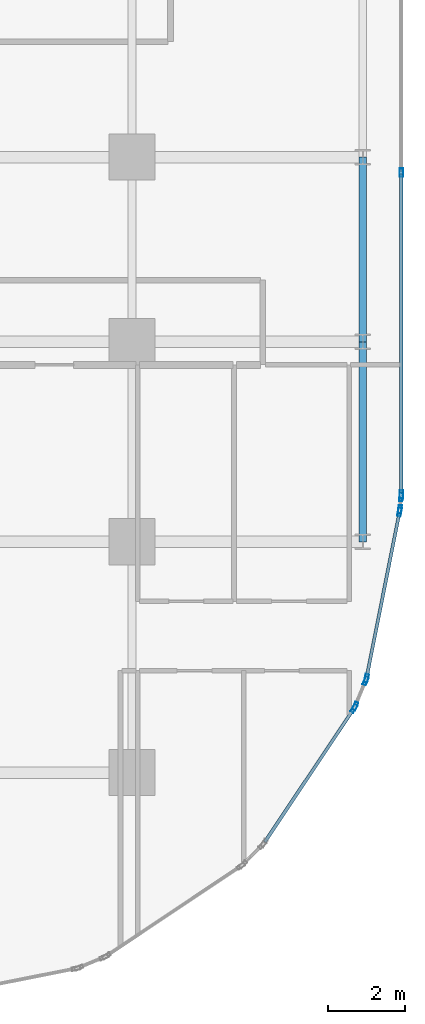
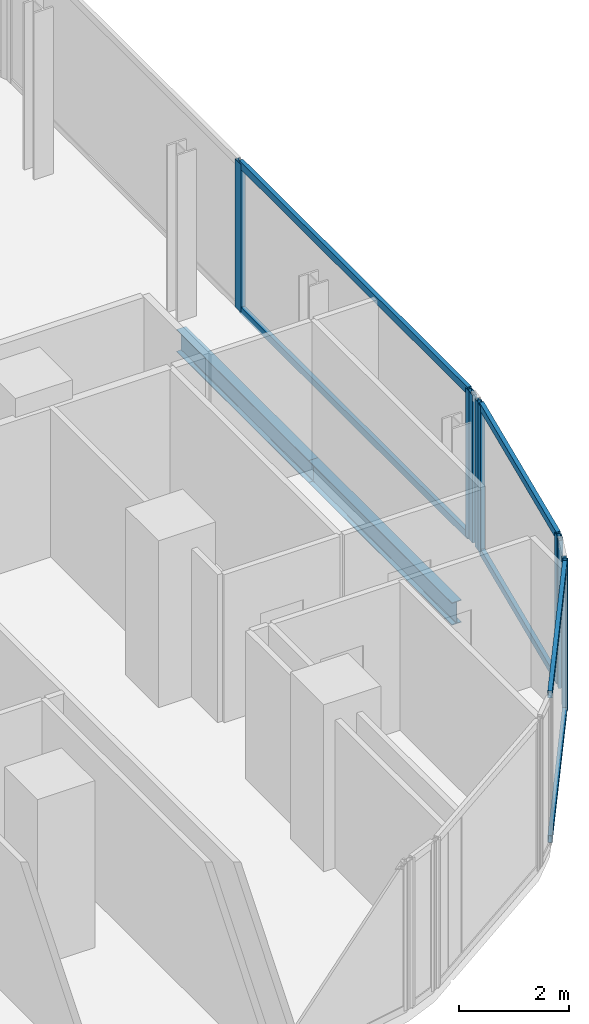
# One storey, part 18 of 33: 15 members, 2 beams, 5 elements without a shape of their own.
"""IFC4 building model written with IfcOpenShell, lengths in metres."""

from ifc_helpers import new_model, si_unit, direction, frame, origin, origin_2d, place, context, subcontext, project, spatial, hollow_rectangle, i_section, extrude, material, layer, layer_set, material_profile, profile_set, type_object, element, aggregate, save


model = new_model("IFC4")

# Units and contexts
model_context = context("Model", 3, precision=1e-05, world=origin(), true_north=direction((0.0, 1.0)))
body_context = subcontext(model_context, "Body", "Model", "MODEL_VIEW")
ifc_project = project(units=[si_unit("LENGTHUNIT", "METRE"), si_unit("AREAUNIT", "SQUARE_METRE"), si_unit("VOLUMEUNIT", "CUBIC_METRE"), si_unit("PLANEANGLEUNIT", "RADIAN"), si_unit("MASSUNIT", "GRAM", prefix="KILO")], contexts=[model_context])

# Site, building, storey
site_placement = place(None, origin())
site = spatial("IfcSite", under=ifc_project, at=site_placement, CompositionType="ELEMENT")
building_placement = place(site_placement, origin())
building = spatial("IfcBuilding", under=site, at=building_placement, Name="Keshet Zoharim Tower", CompositionType="ELEMENT")
storey_placement = place(building_placement, frame((0.0, 0.0, 57.300048828125)))
storey = spatial("IfcBuildingStorey", under=building, at=storey_placement, Name="L13", CompositionType="ELEMENT", Elevation=57.300048828125)

# Beams
ifc_material_1 = material(Name="Steel S355", Category="steel")
ifc_material_profile_1 = material_profile(ifc_material_1, i_section(OverallWidth=0.199951171875, OverallDepth=0.5, WebThickness=0.01025390625, FlangeThickness=0.01611328125, FilletRadius=0.02099609375, at=origin_2d()), Name="IPE500")
ifc_profile_set_1 = profile_set([ifc_material_profile_1], Name="Steel S355")
beam_type = type_object("IfcBeamType", Name="BM-PRI-IP500", PredefinedType="BEAM", material=ifc_profile_set_1)
beam_1_placement = place(storey_placement, frame((69.0, 12.699951171875, -0.56494140625), z_axis=(0.0, 1.0, 0.0), x_axis=(-1.0, 0.0, 0.0)))
element("IfcBeam", 1, at=beam_1_placement, inside=storey, type_object=beam_type, Name="L13 Primary Girder Y-023", PredefinedType="BEAM", context=body_context, shape_type="SweptSolid", body=[
    extrude(i_section(OverallWidth=0.199951171875, OverallDepth=0.5, WebThickness=0.01025390625, FlangeThickness=0.01611328125, FilletRadius=0.02099609375, at=origin_2d()), origin(), (0.0, 0.0, 1.0), 5.199951171875),
])
beam_2_placement = place(storey_placement, frame((69.0, 17.89990234375, -0.56494140625), z_axis=(0.0, 1.0, 0.0), x_axis=(-1.0, 0.0, 0.0)))
element("IfcBeam", 2, at=beam_2_placement, inside=storey, type_object=beam_type, Name="L13 Primary Girder Y-024", PredefinedType="BEAM", context=body_context, shape_type="SweptSolid", body=[
    extrude(i_section(OverallWidth=0.199951171875, OverallDepth=0.5, WebThickness=0.01025390625, FlangeThickness=0.01611328125, FilletRadius=0.02099609375, at=origin_2d()), origin(), (0.0, 0.0, 1.0), 4.800048828125),
])

# Curtain wall, members
ifc_material_2 = material(Name="Aluminium 6063-T6", Category="aluminium")
ifc_layer_1 = layer(ifc_material_2, 0.169921875)
ifc_layer_set_1 = layer_set([ifc_layer_1], Name="Aluminium 6063-T6")
curtain_wall_type_1 = type_object("IfcCurtainWallType", Name="CW-SYS-02", PredefinedType="NOTDEFINED", material=ifc_layer_set_1)
curtain_wall_1_placement = place(storey_placement, origin())
curtain_wall_1 = element("IfcCurtainWall", 3, at=curtain_wall_1_placement, inside=storey, type_object=curtain_wall_type_1, Name="L13 Unitised Curtain Wall 16", PredefinedType="NOTDEFINED")
ifc_material_profile_2 = material_profile(ifc_material_2, hollow_rectangle(XDim=0.090087890625, YDim=0.219970703125, WallThickness=0.0048828125, at=origin_2d()), Name="MUL-90x220")
ifc_profile_set_2 = profile_set([ifc_material_profile_2], Name="Aluminium 6063-T6")
member_type_1 = type_object("IfcMemberType", Name="CWM-M22", PredefinedType="MULLION", material=ifc_profile_set_2)
member_1_placement = place(storey_placement, frame((70.0, 22.298583984375, 0.0), z_axis=(0.0, 0.0, 1.0), x_axis=(1.0, 0.0, 0.0)))
member_1 = element("IfcMember", 4, at=member_1_placement, type_object=member_type_1, Name="CW-02 mullion 2", PredefinedType="MULLION", context=body_context, shape_type="SweptSolid", body=[
    extrude(hollow_rectangle(XDim=0.090087890625, YDim=0.219970703125, WallThickness=0.0048828125, at=origin_2d()), origin(), (0.0, 0.0, 1.0), 3.280029296875),
])
member_2_placement = place(storey_placement, frame((70.0, 13.931884765625, 0.0), z_axis=(0.0, 0.0, 1.0), x_axis=(1.0, 0.0, 0.0)))
member_2 = element("IfcMember", 5, at=member_2_placement, type_object=member_type_1, Name="CW-02 mullion 3", PredefinedType="MULLION", context=body_context, shape_type="SweptSolid", body=[
    extrude(hollow_rectangle(XDim=0.090087890625, YDim=0.219970703125, WallThickness=0.0048828125, at=origin_2d()), origin(), (0.0, 0.0, 1.0), 3.280029296875),
])

curtain_wall_2_placement = place(storey_placement, origin())
curtain_wall_2 = element("IfcCurtainWall", 6, at=curtain_wall_2_placement, inside=storey, type_object=curtain_wall_type_1, Name="L13 Unitised Curtain Wall 17", PredefinedType="NOTDEFINED")
member_3_placement = place(storey_placement, frame((69.99658203125, 13.862060546875, 0.0), z_axis=(0.0, 0.0, 1.0), x_axis=(0.995286657009, -0.096976648633, 0.0)))
member_3 = element("IfcMember", 7, at=member_3_placement, type_object=member_type_1, Name="CW-02 mullion 1", PredefinedType="MULLION", context=body_context, shape_type="SweptSolid", body=[
    extrude(hollow_rectangle(XDim=0.090087890625, YDim=0.219970703125, WallThickness=0.0048828125, at=origin_2d()), origin(), (0.0, 0.0, 1.0), 3.280029296875),
])
member_4_placement = place(storey_placement, frame((69.96533203125, 13.541748046875, 0.0), z_axis=(0.0, 0.0, 1.0), x_axis=(0.995286657009, -0.096976648633, 0.0)))
member_4 = element("IfcMember", 8, at=member_4_placement, type_object=member_type_1, Name="CW-02 mullion 2", PredefinedType="MULLION", context=body_context, shape_type="SweptSolid", body=[
    extrude(hollow_rectangle(XDim=0.090087890625, YDim=0.219970703125, WallThickness=0.0048828125, at=origin_2d()), origin(), (0.0, 0.0, 1.0), 3.280029296875),
])
aggregate(curtain_wall_2, [member_3, member_4])

curtain_wall_3_placement = place(storey_placement, origin())
curtain_wall_3 = element("IfcCurtainWall", 9, at=curtain_wall_3_placement, inside=storey, type_object=curtain_wall_type_1, Name="L13 Unitised Curtain Wall 18", PredefinedType="NOTDEFINED")
member_5_placement = place(storey_placement, frame((69.955078125, 13.47265625, 0.0), z_axis=(0.0, 0.0, 1.0), x_axis=(0.98076917357, -0.195171279072, 0.0)))
member_5 = element("IfcMember", 10, at=member_5_placement, type_object=member_type_1, Name="CW-02 mullion 1", PredefinedType="MULLION", context=body_context, shape_type="SweptSolid", body=[
    extrude(hollow_rectangle(XDim=0.090087890625, YDim=0.219970703125, WallThickness=0.0048828125, at=origin_2d()), origin(), (0.0, 0.0, 1.0), 3.280029296875),
])
member_6_placement = place(storey_placement, frame((69.0947265625, 9.1494140625, 0.0), z_axis=(0.0, 0.0, 1.0), x_axis=(0.98076917357, -0.195171279072, 0.0)))
member_6 = element("IfcMember", 11, at=member_6_placement, type_object=member_type_1, Name="CW-02 mullion 2", PredefinedType="MULLION", context=body_context, shape_type="SweptSolid", body=[
    extrude(hollow_rectangle(XDim=0.090087890625, YDim=0.219970703125, WallThickness=0.0048828125, at=origin_2d()), origin(), (0.0, 0.0, 1.0), 3.280029296875),
])

ifc_layer_2 = layer(ifc_material_2, 0.179931640625)
ifc_layer_set_2 = layer_set([ifc_layer_2], Name="Aluminium 6063-T6")
curtain_wall_type_2 = type_object("IfcCurtainWallType", Name="CW-SYS-01", PredefinedType="NOTDEFINED", material=ifc_layer_set_2)
curtain_wall_4_placement = place(storey_placement, origin())
curtain_wall_4 = element("IfcCurtainWall", 12, at=curtain_wall_4_placement, inside=storey, type_object=curtain_wall_type_2, Name="L13 Unitised Curtain Wall 19", PredefinedType="NOTDEFINED")
member_7_placement = place(storey_placement, frame((69.07470703125, 9.082763671875, 0.0), z_axis=(0.0, 0.0, 1.0), x_axis=(0.923720000557, -0.383068349739, 0.0)))
member_7 = element("IfcMember", 13, at=member_7_placement, type_object=member_type_1, Name="CW-01 mullion 1", PredefinedType="MULLION", context=body_context, shape_type="SweptSolid", body=[
    extrude(hollow_rectangle(XDim=0.090087890625, YDim=0.219970703125, WallThickness=0.0048828125, at=origin_2d()), origin(), (0.0, 0.0, 1.0), 3.280029296875),
])
member_8_placement = place(storey_placement, frame((68.802490234375, 8.42626953125, 0.0), z_axis=(0.0, 0.0, 1.0), x_axis=(0.923720000557, -0.383068349739, 0.0)))
member_8 = element("IfcMember", 14, at=member_8_placement, type_object=member_type_1, Name="CW-01 mullion 2", PredefinedType="MULLION", context=body_context, shape_type="SweptSolid", body=[
    extrude(hollow_rectangle(XDim=0.090087890625, YDim=0.219970703125, WallThickness=0.0048828125, at=origin_2d()), origin(), (0.0, 0.0, 1.0), 3.280029296875),
])
aggregate(curtain_wall_4, [member_7, member_8])

# Curtain wall, member
curtain_wall_5_placement = place(storey_placement, origin())
curtain_wall_5 = element("IfcCurtainWall", 15, at=curtain_wall_5_placement, inside=storey, type_object=curtain_wall_type_2, Name="L13 Unitised Curtain Wall 20", PredefinedType="NOTDEFINED")
member_9_placement = place(storey_placement, frame((68.76953125, 8.364990234375, 0.0), z_axis=(0.0, 0.0, 1.0), x_axis=(0.831474282335, -0.555563243758, 0.0)))
member_9 = element("IfcMember", 16, at=member_9_placement, type_object=member_type_1, Name="CW-01 mullion 1", PredefinedType="MULLION", context=body_context, shape_type="SweptSolid", body=[
    extrude(hollow_rectangle(XDim=0.090087890625, YDim=0.219970703125, WallThickness=0.0048828125, at=origin_2d()), origin(), (0.0, 0.0, 1.0), 3.280029296875),
])

# Member
ifc_material_profile_3 = material_profile(ifc_material_2, hollow_rectangle(XDim=0.0849609375, YDim=0.159912109375, WallThickness=0.00439453125, at=origin_2d()), Name="TRN-85x160")
ifc_profile_set_3 = profile_set([ifc_material_profile_3], Name="Aluminium 6063-T6")
member_type_2 = type_object("IfcMemberType", Name="CWT-T16", PredefinedType="USERDEFINED", material=ifc_profile_set_3)
member_10_placement = place(storey_placement, frame((70.0, 22.263427734375, 0.034912109375), z_axis=(0.0, -1.0, 0.0), x_axis=(1.0, 0.0, 0.0)))
member_10 = element("IfcMember", 17, at=member_10_placement, type_object=member_type_2, Name="CW-02 transom 2.1", ObjectType="TRANSOM", PredefinedType="USERDEFINED", context=body_context, shape_type="SweptSolid", body=[
    extrude(hollow_rectangle(XDim=0.0849609375, YDim=0.159912109375, WallThickness=0.00439453125, at=origin_2d()), origin(), (0.0, 0.0, 1.0), 8.29638671875),
])

member_11_placement = place(storey_placement, frame((70.0, 22.263427734375, 3.244873046875), z_axis=(0.0, -1.0, 0.0), x_axis=(1.0, 0.0, 0.0)))
member_11 = element("IfcMember", 18, at=member_11_placement, type_object=member_type_2, Name="CW-02 transom 2.2", ObjectType="TRANSOM", PredefinedType="USERDEFINED", context=body_context, shape_type="SweptSolid", body=[
    extrude(hollow_rectangle(XDim=0.0849609375, YDim=0.159912109375, WallThickness=0.00439453125, at=origin_2d()), origin(), (0.0, 0.0, 1.0), 8.29638671875),
])

aggregate(curtain_wall_1, [member_1, member_2, member_10, member_11])

member_12_placement = place(storey_placement, frame((69.9482421875, 13.438232421875, 0.034912109375), z_axis=(-0.195174459131, -0.980768540739, 0.0), x_axis=(0.980768540739, -0.195174459131, 0.0)))
member_12 = element("IfcMember", 19, at=member_12_placement, type_object=member_type_2, Name="CW-02 transom 1.1", ObjectType="TRANSOM", PredefinedType="USERDEFINED", context=body_context, shape_type="SweptSolid", body=[
    extrude(hollow_rectangle(XDim=0.0849609375, YDim=0.159912109375, WallThickness=0.00439453125, at=origin_2d()), origin(), (0.0, 0.0, 1.0), 4.338134765625),
])

member_13_placement = place(storey_placement, frame((69.9482421875, 13.438232421875, 3.244873046875), z_axis=(-0.195174459131, -0.980768540739, 0.0), x_axis=(0.980768540739, -0.195174459131, 0.0)))
member_13 = element("IfcMember", 20, at=member_13_placement, type_object=member_type_2, Name="CW-02 transom 1.2", ObjectType="TRANSOM", PredefinedType="USERDEFINED", context=body_context, shape_type="SweptSolid", body=[
    extrude(hollow_rectangle(XDim=0.0849609375, YDim=0.159912109375, WallThickness=0.00439453125, at=origin_2d()), origin(), (0.0, 0.0, 1.0), 4.338134765625),
])

aggregate(curtain_wall_3, [member_5, member_6, member_12, member_13])

member_14_placement = place(storey_placement, frame((68.75, 8.335693359375, 0.034912109375), z_axis=(-0.55555796544, -0.831477809106, 0.0), x_axis=(0.831477809106, -0.55555796544, 0.0)))
member_14 = element("IfcMember", 21, at=member_14_placement, type_object=member_type_2, Name="CW-01 transom 1.1", ObjectType="TRANSOM", PredefinedType="USERDEFINED", context=body_context, shape_type="SweptSolid", body=[
    extrude(hollow_rectangle(XDim=0.0849609375, YDim=0.159912109375, WallThickness=0.00439453125, at=origin_2d()), origin(), (0.0, 0.0, 1.0), 4.136474609375),
])

member_15_placement = place(storey_placement, frame((68.75, 8.335693359375, 3.244873046875), z_axis=(-0.55555796544, -0.831477809106, 0.0), x_axis=(0.831477809106, -0.55555796544, 0.0)))
member_15 = element("IfcMember", 22, at=member_15_placement, type_object=member_type_2, Name="CW-01 transom 1.2", ObjectType="TRANSOM", PredefinedType="USERDEFINED", context=body_context, shape_type="SweptSolid", body=[
    extrude(hollow_rectangle(XDim=0.0849609375, YDim=0.159912109375, WallThickness=0.00439453125, at=origin_2d()), origin(), (0.0, 0.0, 1.0), 4.136474609375),
])

aggregate(curtain_wall_5, [member_9, member_14, member_15])

save(model, "model.ifc")
